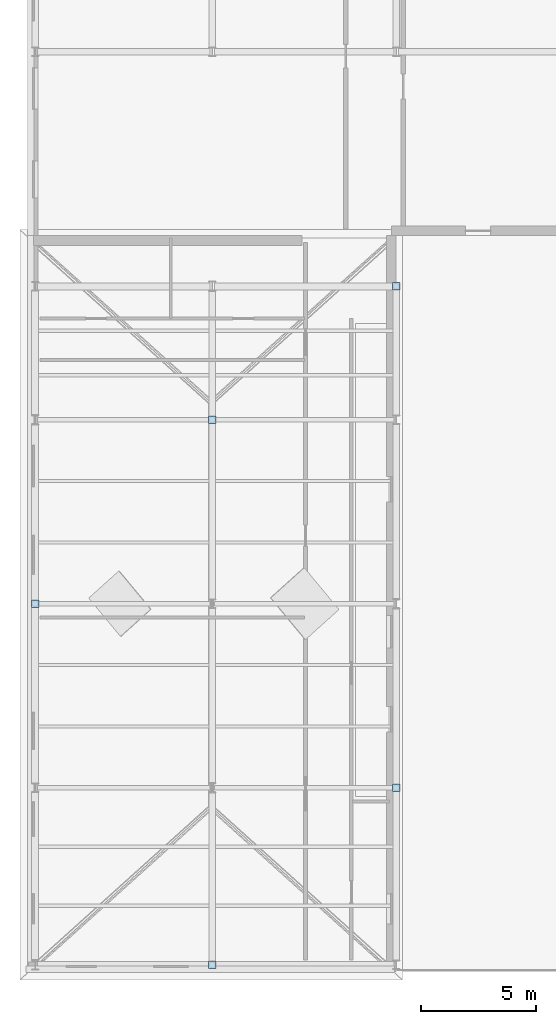
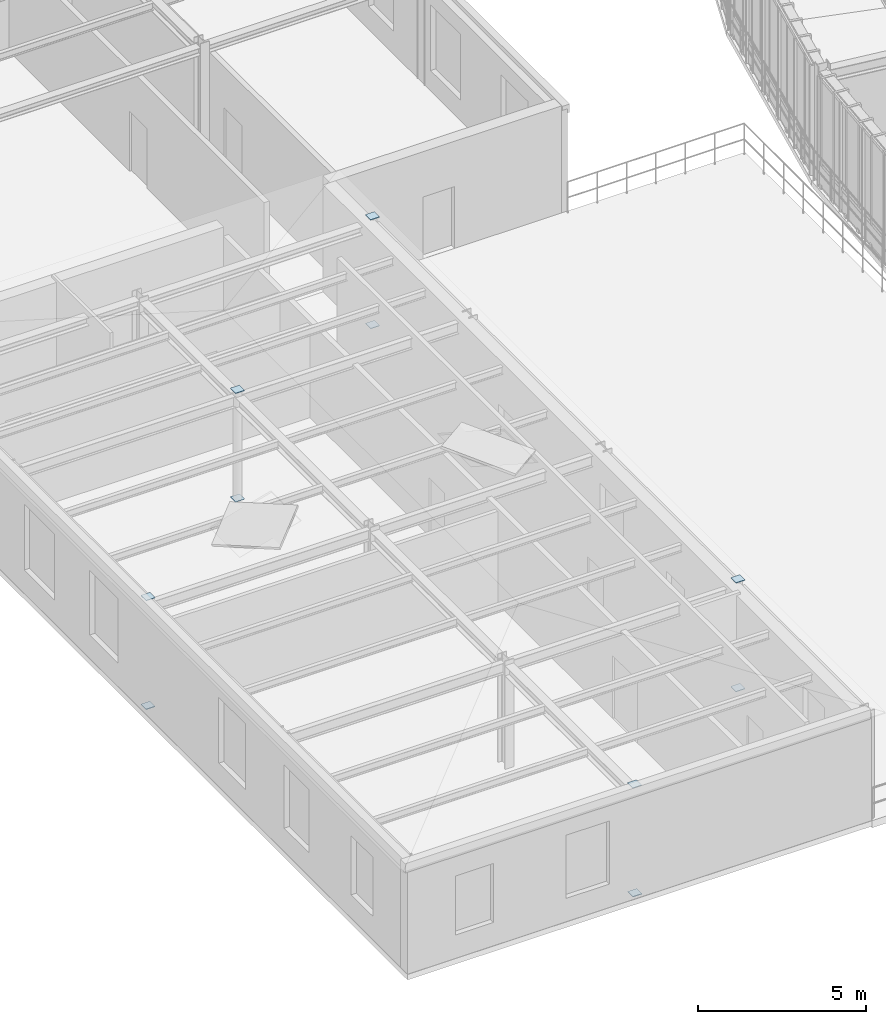
# One storey, part 30 of 52: 10 plates.
"""IFC4 building model written with IfcOpenShell, lengths in metres."""

from ifc_helpers import new_model, si_unit, direction, frame, origin, origin_2d, place, context, subcontext, project, spatial, rectangle, extrude, material, layer, layer_set, type_object, element, save


model = new_model("IFC4")

# Units and contexts
model_context = context("Model", 3, precision=1e-05, world=origin(), true_north=direction((0.0, 1.0)))
body_context = subcontext(model_context, "Body", "Model", "MODEL_VIEW")
ifc_project = project(units=[si_unit("LENGTHUNIT", "METRE"), si_unit("AREAUNIT", "SQUARE_METRE"), si_unit("VOLUMEUNIT", "CUBIC_METRE"), si_unit("PLANEANGLEUNIT", "RADIAN"), si_unit("MASSUNIT", "GRAM", prefix="KILO"), si_unit("THERMODYNAMICTEMPERATUREUNIT", "KELVIN"), si_unit("POWERUNIT", "WATT")], contexts=[model_context])

# Site, building, storey
site_placement = place(None, origin())
site = spatial("IfcSite", under=ifc_project, at=site_placement, CompositionType="ELEMENT")
building_placement = place(site_placement, origin())
building = spatial("IfcBuilding", under=site, at=building_placement, Name="Solvatero Civic Police Headquarters", CompositionType="ELEMENT")
storey_placement = place(building_placement, frame((0.0, 0.0, 13.5)))
storey = spatial("IfcBuildingStorey", under=building, at=storey_placement, Name="L03", CompositionType="ELEMENT", Elevation=13.5)

# Plates
ifc_material = material(Name="Steel S355", Category="steel")
ifc_layer = layer(ifc_material, 0.02001953125)
ifc_layer_set = layer_set([ifc_layer], Name="Steel S355")
plate_type = type_object("IfcPlateType", Name="PLT-CAP-20", PredefinedType="SHEET", material=ifc_layer_set)
for number, where, z_axis, x_axis, name in (
    (1, (4.800048828125, 20.5, 3.93994140625), (0.0, 0.0, 1.0), (1.0, 0.0, 0.0), "Hollow Section End Cap Plate 0087"),
    (2, (4.800048828125, 20.5, -0.02001953125), (0.0, 0.0, 1.0), (1.0, 0.0, 0.0), "Hollow Section End Cap Plate 0088"),
    (3, (12.5, 4.800048828125, 3.93994140625), (0.0, 0.0, 1.0), (1.0, 0.0, 0.0), "Hollow Section End Cap Plate 0089"),
    (4, (12.5, 4.800048828125, -0.02001953125), (0.0, 0.0, 1.0), (1.0, 0.0, 0.0), "Hollow Section End Cap Plate 0090"),
    (5, (12.5, 28.5, 3.93994140625), (0.0, 0.0, 1.0), (1.0, 0.0, 0.0), "Hollow Section End Cap Plate 0093"),
    (6, (12.5, 28.5, -0.02001953125), (0.0, 0.0, 1.0), (1.0, 0.0, 0.0), "Hollow Section End Cap Plate 0094"),
    (7, (20.5, 12.5, 3.93994140625), (0.0, 0.0, 1.0), (1.0, 0.0, 0.0), "Hollow Section End Cap Plate 0097"),
    (8, (20.5, 12.5, -0.02001953125), (0.0, 0.0, 1.0), (1.0, 0.0, 0.0), "Hollow Section End Cap Plate 0098"),
    (9, (20.5, 34.300048828125, 3.93994140625), (0.0, 0.0, 1.0), (1.0, 0.0, 0.0), "Hollow Section End Cap Plate 0101"),
    (10, (20.5, 34.300048828125, -0.02001953125), (0.0, 0.0, 1.0), (1.0, 0.0, 0.0), "Hollow Section End Cap Plate 0102"),
):
    element("IfcPlate", number, at=place(storey_placement, frame(where, z_axis=z_axis, x_axis=x_axis)), inside=storey, type_object=plate_type, Name=name, PredefinedType="SHEET", context=body_context, shape_type="SweptSolid", body=[
        extrude(rectangle(XDim=0.31298828125, YDim=0.31298828125, at=origin_2d()), origin(), (0.0, 0.0, 1.0), 0.02001953125),
    ])

save(model, "model.ifc")
